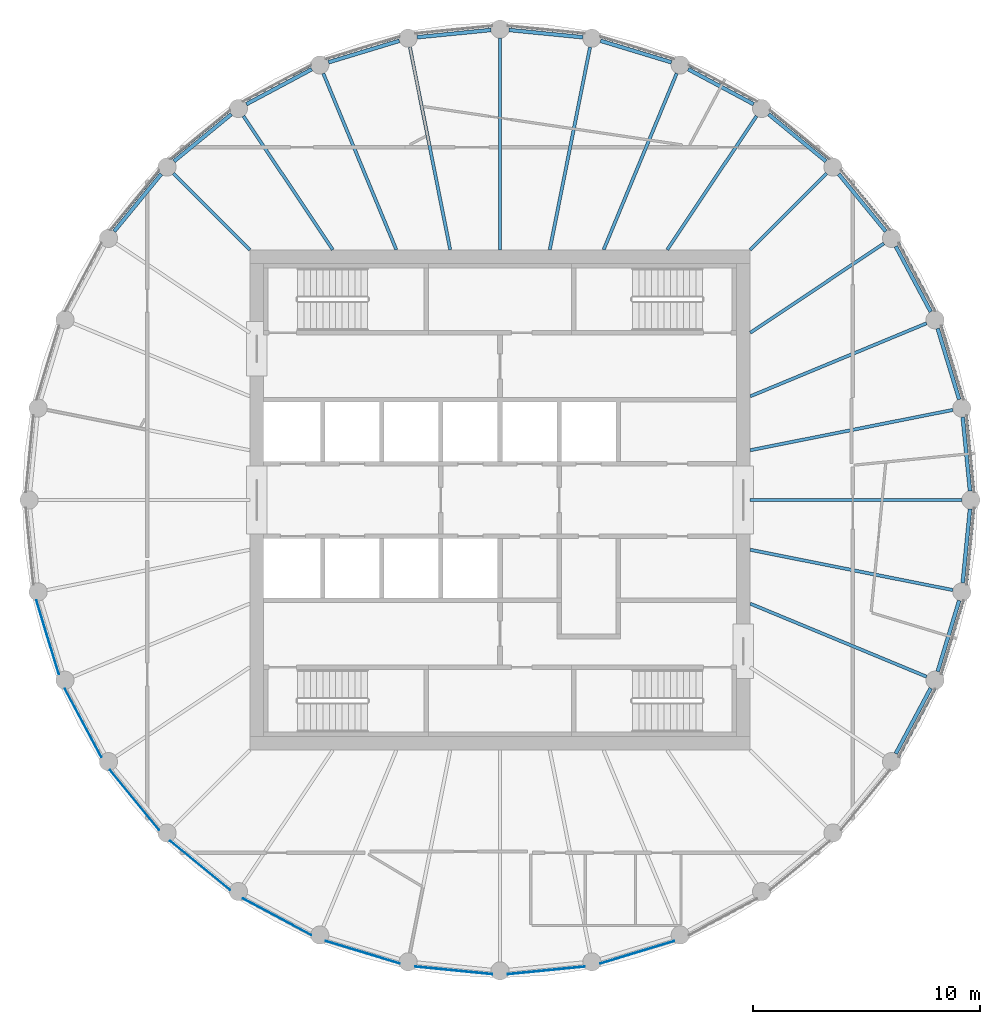
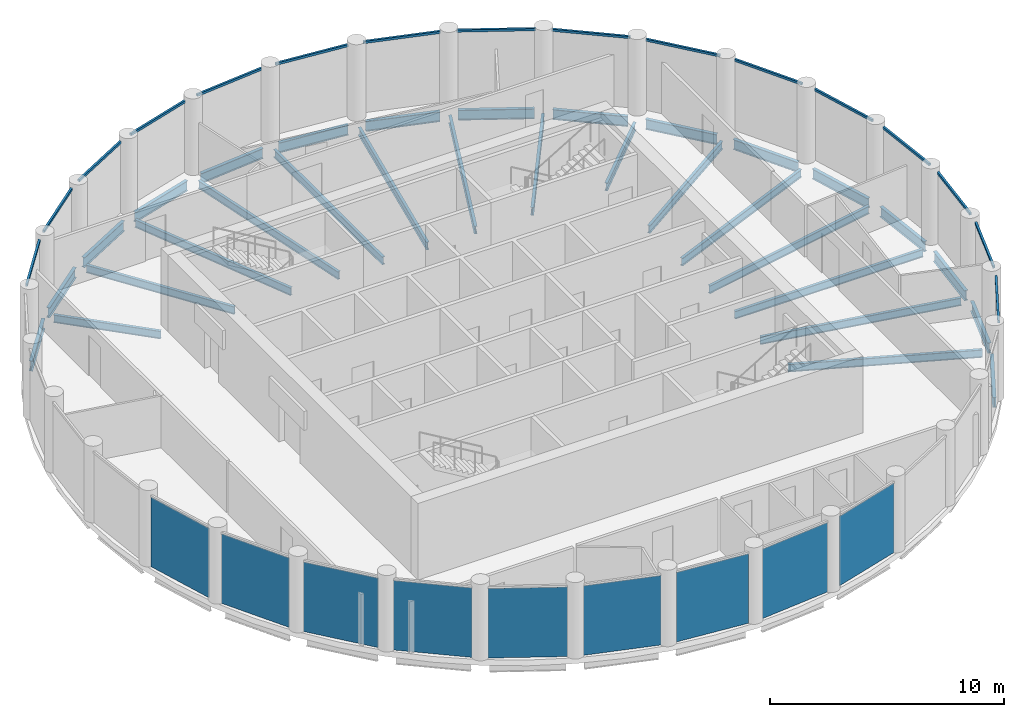
# One storey, part 2 of 7: 31 beams, 16 members, 9 plates, 25 elements without a shape of their own.
"""IFC4 building model written with IfcOpenShell, lengths in metres."""

from ifc_helpers import new_model, si_unit, direction, frame, origin, origin_2d, place, context, subcontext, project, spatial, rectangle, i_section, extrude, material, layer, layer_set, material_profile, profile_set, type_object, element, aggregate, save


model = new_model("IFC4")

# Units and contexts
model_context = context("Model", 3, precision=1e-05, world=origin(), true_north=direction((0.0, 1.0)))
body_context = subcontext(model_context, "Body", "Model", "MODEL_VIEW")
ifc_project = project(units=[si_unit("LENGTHUNIT", "METRE"), si_unit("AREAUNIT", "SQUARE_METRE"), si_unit("VOLUMEUNIT", "CUBIC_METRE"), si_unit("PLANEANGLEUNIT", "RADIAN"), si_unit("MASSUNIT", "GRAM", prefix="KILO")], contexts=[model_context])

# Site, building, storey
site_placement = place(None, origin())
site = spatial("IfcSite", under=ifc_project, at=site_placement, CompositionType="ELEMENT")
building_placement = place(site_placement, origin())
building = spatial("IfcBuilding", under=site, at=building_placement, Name="Corvane Civic Tower", CompositionType="ELEMENT")
storey_placement = place(building_placement, frame((0.0, 0.0, 332.5)))
storey = spatial("IfcBuildingStorey", under=building, at=storey_placement, Name="L79", CompositionType="ELEMENT", Elevation=332.5)

# Beams
ifc_material_1 = material(Name="Steel ASTM A992 Gr 50", Category="steel")
ifc_material_profile_1 = material_profile(ifc_material_1, i_section(OverallWidth=0.165771484375, OverallDepth=0.5283203125, WebThickness=0.009765625, FlangeThickness=0.013671875, at=origin_2d()), Name="W21X50")
ifc_profile_set_1 = profile_set([ifc_material_profile_1], Name="Steel ASTM A992 Gr 50")
beam_type_1 = type_object("IfcBeamType", Name="EDGE BEAM W21X50", PredefinedType="BEAM", material=ifc_profile_set_1)
beam_1_placement = place(storey_placement, frame((0.39794921875, 20.66064453125, -0.564208984375), z_axis=(0.995192503142, -0.097938152369, 0.0), x_axis=(0.097938152369, 0.995192503142, 0.0)))
element("IfcBeam", 1, at=beam_1_placement, inside=storey, type_object=beam_type_1, Name="BM-L79-E01", PredefinedType="BEAM", context=body_context, shape_type="SweptSolid", body=[
    extrude(i_section(OverallWidth=0.165771484375, OverallDepth=0.5283203125, WebThickness=0.009765625, FlangeThickness=0.013671875, at=origin_2d()), origin(), (0.0, 0.0, 1.0), 3.258056640625),
])
for number, where, z_axis, x_axis, name in (
    (2, (4.421142578125, 20.18603515625, -0.564208984375), (0.956955679349, -0.290234091317, 0.0), (0.290234091317, 0.956955679349, 0.0), "BM-L79-E02"),
    (3, (8.2744140625, 18.935791015625, -0.564208984375), (0.881894065907, -0.471447618, 0.0), (0.471447618, 0.881894065907, 0.0), "BM-L79-E03"),
    (4, (11.8095703125, 16.957763671875, -0.564208984375), (0.772984791903, -0.634424551454, 0.0), (0.634424551454, 0.772984791903, 0.0), "BM-L79-E04"),
    (5, (14.890869140625, 14.327880859375, -0.564208984375), (0.634424551454, -0.772984791903, 0.0), (0.772984791903, 0.634424551454, 0.0), "BM-L79-E05"),
    (6, (17.39990234375, 11.1474609375, -0.564208984375), (0.471447618, -0.881894065907, 0.0), (0.881894065907, 0.471447618, 0.0), "BM-L79-E06"),
    (7, (19.240478515625, 7.538818359375, -0.564208984375), (0.290234091317, -0.956955679349, 0.0), (0.956955679349, 0.290234091317, 0.0), "BM-L79-E07"),
):
    element("IfcBeam", number, at=place(storey_placement, frame(where, z_axis=z_axis, x_axis=x_axis)), inside=storey, type_object=beam_type_1, Name=name, PredefinedType="BEAM", context=body_context, shape_type="SweptSolid", body=[
        extrude(i_section(OverallWidth=0.165771484375, OverallDepth=0.5283203125, WebThickness=0.009765625, FlangeThickness=0.013671875, at=origin_2d()), origin(), (0.0, 0.0, 1.0), 3.2578125),
    ])
for number, where, z_axis, x_axis, name in (
    (8, (20.341552734375, 3.640380859375, -0.564208984375), (0.097938152369, -0.995192503142, 0.0), (0.995192503142, 0.097938152369, 0.0), "BM-L79-E08"),
    (9, (20.66064453125, -0.39794921875, -0.564208984375), (-0.097938152369, -0.995192503142, 0.0), (0.995192503142, -0.097938152369, 0.0), "BM-L79-E09"),
):
    element("IfcBeam", number, at=place(storey_placement, frame(where, z_axis=z_axis, x_axis=x_axis)), inside=storey, type_object=beam_type_1, Name=name, PredefinedType="BEAM", context=body_context, shape_type="SweptSolid", body=[
        extrude(i_section(OverallWidth=0.165771484375, OverallDepth=0.5283203125, WebThickness=0.009765625, FlangeThickness=0.013671875, at=origin_2d()), origin(), (0.0, 0.0, 1.0), 3.258056640625),
    ])
for number, where, z_axis, x_axis, name in (
    (10, (20.18603515625, -4.421142578125, -0.564208984375), (-0.290234091317, -0.956955679349, 0.0), (0.956955679349, -0.290234091317, 0.0), "BM-L79-E10"),
    (11, (18.935791015625, -8.2744140625, -0.564208984375), (-0.471447618, -0.881894065907, 0.0), (0.881894065907, -0.471447618, 0.0), "BM-L79-E11"),
    (12, (-16.957763671875, 11.8095703125, -0.564208984375), (0.634424551454, 0.772984791903, 0.0), (-0.772984791903, 0.634424551454, 0.0), "BM-L79-E28"),
    (13, (-14.327880859375, 14.890869140625, -0.564208984375), (0.772984791903, 0.634424551454, 0.0), (-0.634424551454, 0.772984791903, 0.0), "BM-L79-E29"),
    (14, (-11.1474609375, 17.39990234375, -0.564208984375), (0.881894065907, 0.471447618, 0.0), (-0.471447618, 0.881894065907, 0.0), "BM-L79-E30"),
    (15, (-7.538818359375, 19.240478515625, -0.564208984375), (0.956955679349, 0.290234091317, 0.0), (-0.290234091317, 0.956955679349, 0.0), "BM-L79-E31"),
):
    element("IfcBeam", number, at=place(storey_placement, frame(where, z_axis=z_axis, x_axis=x_axis)), inside=storey, type_object=beam_type_1, Name=name, PredefinedType="BEAM", context=body_context, shape_type="SweptSolid", body=[
        extrude(i_section(OverallWidth=0.165771484375, OverallDepth=0.5283203125, WebThickness=0.009765625, FlangeThickness=0.013671875, at=origin_2d()), origin(), (0.0, 0.0, 1.0), 3.2578125),
    ])
beam_2_placement = place(storey_placement, frame((-3.640380859375, 20.341552734375, -0.564208984375), z_axis=(0.995192503142, 0.097938152369, 0.0), x_axis=(-0.097938152369, 0.995192503142, 0.0)))
element("IfcBeam", 16, at=beam_2_placement, inside=storey, type_object=beam_type_1, Name="BM-L79-E32", PredefinedType="BEAM", context=body_context, shape_type="SweptSolid", body=[
    extrude(i_section(OverallWidth=0.165771484375, OverallDepth=0.5283203125, WebThickness=0.009765625, FlangeThickness=0.013671875, at=origin_2d()), origin(), (0.0, 0.0, 1.0), 3.258056640625),
])
ifc_material_2 = material(Name="Steel ASTM A992 Gr 50", Category="steel")
ifc_material_profile_2 = material_profile(ifc_material_2, i_section(OverallWidth=0.140380859375, OverallDepth=0.40380859375, WebThickness=0.007080078125, FlangeThickness=0.01123046875, at=origin_2d()), Name="W16X31")
ifc_profile_set_2 = profile_set([ifc_material_profile_2], Name="Steel ASTM A992 Gr 50")
beam_type_2 = type_object("IfcBeamType", Name="FLOOR GIRDER W16X31", PredefinedType="BEAM", material=ifc_profile_set_2)
beam_3_placement = place(storey_placement, frame((0.0, 11.0, -0.501953125), z_axis=(0.0, 1.0, 0.0), x_axis=(-1.0, 0.0, 0.0)))
element("IfcBeam", 17, at=beam_3_placement, inside=storey, type_object=beam_type_2, Name="BM-L79-G01", PredefinedType="BEAM", context=body_context, shape_type="SweptSolid", body=[
    extrude(i_section(OverallWidth=0.140380859375, OverallDepth=0.40380859375, WebThickness=0.007080078125, FlangeThickness=0.01123046875, at=origin_2d()), origin(), (0.0, 0.0, 1.0), 9.300048828125),
])
beam_4_placement = place(storey_placement, frame((2.18798828125, 11.0, -0.501953125), z_axis=(0.195108241061, 0.980781715913, 0.0), x_axis=(-0.980781715913, 0.195108241061, 0.0)))
element("IfcBeam", 18, at=beam_4_placement, inside=storey, type_object=beam_type_2, Name="BM-L79-G02", PredefinedType="BEAM", context=body_context, shape_type="SweptSolid", body=[
    extrude(i_section(OverallWidth=0.140380859375, OverallDepth=0.40380859375, WebThickness=0.007080078125, FlangeThickness=0.01123046875, at=origin_2d()), origin(), (0.0, 0.0, 1.0), 9.08447265625),
])
beam_5_placement = place(storey_placement, frame((4.556396484375, 11.0, -0.501953125), z_axis=(0.382691739894, 0.923876091377, 0.0), x_axis=(-0.923876091377, 0.382691739894, 0.0)))
element("IfcBeam", 19, at=beam_5_placement, inside=storey, type_object=beam_type_2, Name="BM-L79-G03", PredefinedType="BEAM", context=body_context, shape_type="SweptSolid", body=[
    extrude(i_section(OverallWidth=0.140380859375, OverallDepth=0.40380859375, WebThickness=0.007080078125, FlangeThickness=0.01123046875, at=origin_2d()), origin(), (0.0, 0.0, 1.0), 8.3935546875),
])
beam_6_placement = place(storey_placement, frame((7.349853515625, 11.0, -0.501953125), z_axis=(0.555576401385, 0.831465490699, 0.0), x_axis=(-0.831465490699, 0.555576401385, 0.0)))
element("IfcBeam", 20, at=beam_6_placement, inside=storey, type_object=beam_type_2, Name="BM-L79-G04", PredefinedType="BEAM", context=body_context, shape_type="SweptSolid", body=[
    extrude(i_section(OverallWidth=0.140380859375, OverallDepth=0.40380859375, WebThickness=0.007080078125, FlangeThickness=0.01123046875, at=origin_2d()), origin(), (0.0, 0.0, 1.0), 7.070556640625),
])
beam_7_placement = place(storey_placement, frame((11.0, 11.0, -0.501953125), z_axis=(0.707106781187, 0.707106781187, 0.0), x_axis=(-0.707106781187, 0.707106781187, 0.0)))
element("IfcBeam", 21, at=beam_7_placement, inside=storey, type_object=beam_type_2, Name="BM-L79-G05", PredefinedType="BEAM", context=body_context, shape_type="SweptSolid", body=[
    extrude(i_section(OverallWidth=0.140380859375, OverallDepth=0.40380859375, WebThickness=0.007080078125, FlangeThickness=0.01123046875, at=origin_2d()), origin(), (0.0, 0.0, 1.0), 4.74365234375),
])
beam_8_placement = place(storey_placement, frame((11.0, 7.349853515625, -0.501953125), z_axis=(0.831465490699, 0.555576401385, 0.0), x_axis=(-0.555576401385, 0.831465490699, 0.0)))
element("IfcBeam", 22, at=beam_8_placement, inside=storey, type_object=beam_type_2, Name="BM-L79-G06", PredefinedType="BEAM", context=body_context, shape_type="SweptSolid", body=[
    extrude(i_section(OverallWidth=0.140380859375, OverallDepth=0.40380859375, WebThickness=0.007080078125, FlangeThickness=0.01123046875, at=origin_2d()), origin(), (0.0, 0.0, 1.0), 7.070556640625),
])
beam_9_placement = place(storey_placement, frame((11.0, 4.556396484375, -0.501953125), z_axis=(0.923876091377, 0.382691739894, 0.0), x_axis=(-0.382691739894, 0.923876091377, 0.0)))
element("IfcBeam", 23, at=beam_9_placement, inside=storey, type_object=beam_type_2, Name="BM-L79-G07", PredefinedType="BEAM", context=body_context, shape_type="SweptSolid", body=[
    extrude(i_section(OverallWidth=0.140380859375, OverallDepth=0.40380859375, WebThickness=0.007080078125, FlangeThickness=0.01123046875, at=origin_2d()), origin(), (0.0, 0.0, 1.0), 8.3935546875),
])
beam_10_placement = place(storey_placement, frame((11.0, 2.18798828125, -0.501953125), z_axis=(0.980781715913, 0.195108241061, 0.0), x_axis=(-0.195108241061, 0.980781715913, 0.0)))
element("IfcBeam", 24, at=beam_10_placement, inside=storey, type_object=beam_type_2, Name="BM-L79-G08", PredefinedType="BEAM", context=body_context, shape_type="SweptSolid", body=[
    extrude(i_section(OverallWidth=0.140380859375, OverallDepth=0.40380859375, WebThickness=0.007080078125, FlangeThickness=0.01123046875, at=origin_2d()), origin(), (0.0, 0.0, 1.0), 9.08447265625),
])
beam_11_placement = place(storey_placement, frame((11.0, 0.0, -0.501953125), z_axis=(1.0, 0.0, 0.0), x_axis=(0.0, 1.0, 0.0)))
element("IfcBeam", 25, at=beam_11_placement, inside=storey, type_object=beam_type_2, Name="BM-L79-G09", PredefinedType="BEAM", context=body_context, shape_type="SweptSolid", body=[
    extrude(i_section(OverallWidth=0.140380859375, OverallDepth=0.40380859375, WebThickness=0.007080078125, FlangeThickness=0.01123046875, at=origin_2d()), origin(), (0.0, 0.0, 1.0), 9.300048828125),
])
beam_12_placement = place(storey_placement, frame((11.0, -2.18798828125, -0.501953125), z_axis=(0.980781715913, -0.195108241061, 0.0), x_axis=(0.195108241061, 0.980781715913, 0.0)))
element("IfcBeam", 26, at=beam_12_placement, inside=storey, type_object=beam_type_2, Name="BM-L79-G10", PredefinedType="BEAM", context=body_context, shape_type="SweptSolid", body=[
    extrude(i_section(OverallWidth=0.140380859375, OverallDepth=0.40380859375, WebThickness=0.007080078125, FlangeThickness=0.01123046875, at=origin_2d()), origin(), (0.0, 0.0, 1.0), 9.08447265625),
])
beam_13_placement = place(storey_placement, frame((11.0, -4.556396484375, -0.501953125), z_axis=(0.923876091377, -0.382691739894, 0.0), x_axis=(0.382691739894, 0.923876091377, 0.0)))
element("IfcBeam", 27, at=beam_13_placement, inside=storey, type_object=beam_type_2, Name="BM-L79-G11", PredefinedType="BEAM", context=body_context, shape_type="SweptSolid", body=[
    extrude(i_section(OverallWidth=0.140380859375, OverallDepth=0.40380859375, WebThickness=0.007080078125, FlangeThickness=0.01123046875, at=origin_2d()), origin(), (0.0, 0.0, 1.0), 8.3935546875),
])
beam_14_placement = place(storey_placement, frame((-11.0, 11.0, -0.501953125), z_axis=(-0.707106781187, 0.707106781187, 0.0), x_axis=(-0.707106781187, -0.707106781187, 0.0)))
element("IfcBeam", 28, at=beam_14_placement, inside=storey, type_object=beam_type_2, Name="BM-L79-G29", PredefinedType="BEAM", context=body_context, shape_type="SweptSolid", body=[
    extrude(i_section(OverallWidth=0.140380859375, OverallDepth=0.40380859375, WebThickness=0.007080078125, FlangeThickness=0.01123046875, at=origin_2d()), origin(), (0.0, 0.0, 1.0), 4.74365234375),
])
beam_15_placement = place(storey_placement, frame((-7.349853515625, 11.0, -0.501953125), z_axis=(-0.555576401385, 0.831465490699, 0.0), x_axis=(-0.831465490699, -0.555576401385, 0.0)))
element("IfcBeam", 29, at=beam_15_placement, inside=storey, type_object=beam_type_2, Name="BM-L79-G30", PredefinedType="BEAM", context=body_context, shape_type="SweptSolid", body=[
    extrude(i_section(OverallWidth=0.140380859375, OverallDepth=0.40380859375, WebThickness=0.007080078125, FlangeThickness=0.01123046875, at=origin_2d()), origin(), (0.0, 0.0, 1.0), 7.070556640625),
])
beam_16_placement = place(storey_placement, frame((-4.556396484375, 11.0, -0.501953125), z_axis=(-0.382691739894, 0.923876091377, 0.0), x_axis=(-0.923876091377, -0.382691739894, 0.0)))
element("IfcBeam", 30, at=beam_16_placement, inside=storey, type_object=beam_type_2, Name="BM-L79-G31", PredefinedType="BEAM", context=body_context, shape_type="SweptSolid", body=[
    extrude(i_section(OverallWidth=0.140380859375, OverallDepth=0.40380859375, WebThickness=0.007080078125, FlangeThickness=0.01123046875, at=origin_2d()), origin(), (0.0, 0.0, 1.0), 8.3935546875),
])
beam_17_placement = place(storey_placement, frame((-2.18798828125, 11.0, -0.501953125), z_axis=(-0.195108241061, 0.980781715913, 0.0), x_axis=(-0.980781715913, -0.195108241061, 0.0)))
element("IfcBeam", 31, at=beam_17_placement, inside=storey, type_object=beam_type_2, Name="BM-L79-G32", PredefinedType="BEAM", context=body_context, shape_type="SweptSolid", body=[
    extrude(i_section(OverallWidth=0.140380859375, OverallDepth=0.40380859375, WebThickness=0.007080078125, FlangeThickness=0.01123046875, at=origin_2d()), origin(), (0.0, 0.0, 1.0), 9.08447265625),
])

# Curtain wall, member
ifc_material_3 = material(Name="Anodised aluminium bronze", Category="aluminium")
curtain_wall_type = type_object("IfcCurtainWallType", Name="TOWER CW-T3 STICK CURTAIN WALL", PredefinedType="NOTDEFINED", material=ifc_material_3)
curtain_wall_1_placement = place(storey_placement, origin())
curtain_wall_1 = element("IfcCurtainWall", 32, at=curtain_wall_1_placement, inside=storey, type_object=curtain_wall_type, Name="Curtain wall CW-T3 L79 bay 01", PredefinedType="NOTDEFINED")
ifc_material_4 = material(Name="Anodised aluminium bronze", Category="aluminium")
ifc_material_profile_3 = material_profile(ifc_material_4, rectangle(XDim=0.10009765625, YDim=0.1201171875, at=origin_2d()), Name="TOWER CW-T3 TRANSOM 100x120")
ifc_profile_set_3 = profile_set([ifc_material_profile_3], Name="Anodised aluminium bronze")
member_type = type_object("IfcMemberType", Name="TOWER CW-T3 TRANSOM 100x120", PredefinedType="USERDEFINED", material=ifc_profile_set_3)
member_1_placement = place(storey_placement, frame((0.34375, 20.845947265625, 3.68994140625), z_axis=(0.995191564676, -0.097947688066, 0.0), x_axis=(0.097947688066, 0.995191564676, 0.0)))
member_1 = element("IfcMember", 33, at=member_1_placement, type_object=member_type, Name="Transom CW-T3 L79 01.1", ObjectType="TRANSOM", PredefinedType="USERDEFINED", context=body_context, shape_type="SweptSolid", body=[
    extrude(rectangle(XDim=0.10009765625, YDim=0.1201171875, at=origin_2d()), origin(), (0.0, 0.0, 1.0), 3.40234375),
])
aggregate(curtain_wall_1, [member_1])

curtain_wall_2_placement = place(storey_placement, origin())
curtain_wall_2 = element("IfcCurtainWall", 34, at=curtain_wall_2_placement, inside=storey, type_object=curtain_wall_type, Name="Curtain wall CW-T3 L79 bay 02", PredefinedType="NOTDEFINED")
member_2_placement = place(storey_placement, frame((4.40380859375, 20.37841796875, 3.68994140625), z_axis=(0.956961022204, -0.290216474345, 0.0), x_axis=(0.290216474345, 0.956961022204, 0.0)))
member_2 = element("IfcMember", 35, at=member_2_placement, type_object=member_type, Name="Transom CW-T3 L79 02.1", ObjectType="TRANSOM", PredefinedType="USERDEFINED", context=body_context, shape_type="SweptSolid", body=[
    extrude(rectangle(XDim=0.10009765625, YDim=0.1201171875, at=origin_2d()), origin(), (0.0, 0.0, 1.0), 3.40283203125),
])
aggregate(curtain_wall_2, [member_2])

curtain_wall_3_placement = place(storey_placement, origin())
curtain_wall_3 = element("IfcCurtainWall", 36, at=curtain_wall_3_placement, inside=storey, type_object=curtain_wall_type, Name="Curtain wall CW-T3 L79 bay 03", PredefinedType="NOTDEFINED")
member_3_placement = place(storey_placement, frame((8.294921875, 19.127685546875, 3.68994140625), z_axis=(0.881941440444, -0.471358988063, 0.0), x_axis=(0.471358988063, 0.881941440444, 0.0)))
member_3 = element("IfcMember", 37, at=member_3_placement, type_object=member_type, Name="Transom CW-T3 L79 03.1", ObjectType="TRANSOM", PredefinedType="USERDEFINED", context=body_context, shape_type="SweptSolid", body=[
    extrude(rectangle(XDim=0.10009765625, YDim=0.1201171875, at=origin_2d()), origin(), (0.0, 0.0, 1.0), 3.40234375),
])
aggregate(curtain_wall_3, [member_3])

curtain_wall_4_placement = place(storey_placement, origin())
curtain_wall_4 = element("IfcCurtainWall", 38, at=curtain_wall_4_placement, inside=storey, type_object=curtain_wall_type, Name="Curtain wall CW-T3 L79 bay 04", PredefinedType="NOTDEFINED")
member_4_placement = place(storey_placement, frame((11.8671875, 17.14208984375, 3.68994140625), z_axis=(0.773010217358, -0.634393571736, 0.0), x_axis=(0.634393571736, 0.773010217358, 0.0)))
member_4 = element("IfcMember", 39, at=member_4_placement, type_object=member_type, Name="Transom CW-T3 L79 04.1", ObjectType="TRANSOM", PredefinedType="USERDEFINED", context=body_context, shape_type="SweptSolid", body=[
    extrude(rectangle(XDim=0.10009765625, YDim=0.1201171875, at=origin_2d()), origin(), (0.0, 0.0, 1.0), 3.40283203125),
])
aggregate(curtain_wall_4, [member_4])

curtain_wall_5_placement = place(storey_placement, origin())
curtain_wall_5 = element("IfcCurtainWall", 40, at=curtain_wall_5_placement, inside=storey, type_object=curtain_wall_type, Name="Curtain wall CW-T3 L79 bay 05", PredefinedType="NOTDEFINED")
member_5_placement = place(storey_placement, frame((14.9833984375, 14.49755859375, 3.68994140625), z_axis=(0.634393571736, -0.773010217358, 0.0), x_axis=(0.773010217358, 0.634393571736, 0.0)))
member_5 = element("IfcMember", 41, at=member_5_placement, type_object=member_type, Name="Transom CW-T3 L79 05.1", ObjectType="TRANSOM", PredefinedType="USERDEFINED", context=body_context, shape_type="SweptSolid", body=[
    extrude(rectangle(XDim=0.10009765625, YDim=0.1201171875, at=origin_2d()), origin(), (0.0, 0.0, 1.0), 3.40283203125),
])
aggregate(curtain_wall_5, [member_5])

curtain_wall_6_placement = place(storey_placement, origin())
curtain_wall_6 = element("IfcCurtainWall", 42, at=curtain_wall_6_placement, inside=storey, type_object=curtain_wall_type, Name="Curtain wall CW-T3 L79 bay 06", PredefinedType="NOTDEFINED")
member_6_placement = place(storey_placement, frame((17.52392578125, 11.295654296875, 3.68994140625), z_axis=(0.471358988063, -0.881941440444, 0.0), x_axis=(0.881941440444, 0.471358988063, 0.0)))
member_6 = element("IfcMember", 43, at=member_6_placement, type_object=member_type, Name="Transom CW-T3 L79 06.1", ObjectType="TRANSOM", PredefinedType="USERDEFINED", context=body_context, shape_type="SweptSolid", body=[
    extrude(rectangle(XDim=0.10009765625, YDim=0.1201171875, at=origin_2d()), origin(), (0.0, 0.0, 1.0), 3.40234375),
])
aggregate(curtain_wall_6, [member_6])

curtain_wall_7_placement = place(storey_placement, origin())
curtain_wall_7 = element("IfcCurtainWall", 44, at=curtain_wall_7_placement, inside=storey, type_object=curtain_wall_type, Name="Curtain wall CW-T3 L79 bay 07", PredefinedType="NOTDEFINED")
member_7_placement = place(storey_placement, frame((19.390869140625, 7.66015625, 3.68994140625), z_axis=(0.290216474345, -0.956961022204, 0.0), x_axis=(0.956961022204, 0.290216474345, 0.0)))
member_7 = element("IfcMember", 45, at=member_7_placement, type_object=member_type, Name="Transom CW-T3 L79 07.1", ObjectType="TRANSOM", PredefinedType="USERDEFINED", context=body_context, shape_type="SweptSolid", body=[
    extrude(rectangle(XDim=0.10009765625, YDim=0.1201171875, at=origin_2d()), origin(), (0.0, 0.0, 1.0), 3.40283203125),
])
aggregate(curtain_wall_7, [member_7])

curtain_wall_8_placement = place(storey_placement, origin())
curtain_wall_8 = element("IfcCurtainWall", 46, at=curtain_wall_8_placement, inside=storey, type_object=curtain_wall_type, Name="Curtain wall CW-T3 L79 bay 08", PredefinedType="NOTDEFINED")
member_8_placement = place(storey_placement, frame((20.5126953125, 3.729736328125, 3.68994140625), z_axis=(0.097947688066, -0.995191564676, 0.0), x_axis=(0.995191564676, 0.097947688066, 0.0)))
member_8 = element("IfcMember", 47, at=member_8_placement, type_object=member_type, Name="Transom CW-T3 L79 08.1", ObjectType="TRANSOM", PredefinedType="USERDEFINED", context=body_context, shape_type="SweptSolid", body=[
    extrude(rectangle(XDim=0.10009765625, YDim=0.1201171875, at=origin_2d()), origin(), (0.0, 0.0, 1.0), 3.40234375),
])
aggregate(curtain_wall_8, [member_8])

curtain_wall_9_placement = place(storey_placement, origin())
curtain_wall_9 = element("IfcCurtainWall", 48, at=curtain_wall_9_placement, inside=storey, type_object=curtain_wall_type, Name="Curtain wall CW-T3 L79 bay 09", PredefinedType="NOTDEFINED")
member_9_placement = place(storey_placement, frame((20.845947265625, -0.34375, 3.68994140625), z_axis=(-0.097947688066, -0.995191564676, 0.0), x_axis=(0.995191564676, -0.097947688066, 0.0)))
member_9 = element("IfcMember", 49, at=member_9_placement, type_object=member_type, Name="Transom CW-T3 L79 09.1", ObjectType="TRANSOM", PredefinedType="USERDEFINED", context=body_context, shape_type="SweptSolid", body=[
    extrude(rectangle(XDim=0.10009765625, YDim=0.1201171875, at=origin_2d()), origin(), (0.0, 0.0, 1.0), 3.40234375),
])
aggregate(curtain_wall_9, [member_9])

curtain_wall_10_placement = place(storey_placement, origin())
curtain_wall_10 = element("IfcCurtainWall", 50, at=curtain_wall_10_placement, inside=storey, type_object=curtain_wall_type, Name="Curtain wall CW-T3 L79 bay 10", PredefinedType="NOTDEFINED")
member_10_placement = place(storey_placement, frame((20.37841796875, -4.40380859375, 3.68994140625), z_axis=(-0.290216474345, -0.956961022204, 0.0), x_axis=(0.956961022204, -0.290216474345, 0.0)))
member_10 = element("IfcMember", 51, at=member_10_placement, type_object=member_type, Name="Transom CW-T3 L79 10.1", ObjectType="TRANSOM", PredefinedType="USERDEFINED", context=body_context, shape_type="SweptSolid", body=[
    extrude(rectangle(XDim=0.10009765625, YDim=0.1201171875, at=origin_2d()), origin(), (0.0, 0.0, 1.0), 3.40283203125),
])
aggregate(curtain_wall_10, [member_10])

curtain_wall_11_placement = place(storey_placement, origin())
curtain_wall_11 = element("IfcCurtainWall", 52, at=curtain_wall_11_placement, inside=storey, type_object=curtain_wall_type, Name="Curtain wall CW-T3 L79 bay 11", PredefinedType="NOTDEFINED")
member_11_placement = place(storey_placement, frame((19.127685546875, -8.294921875, 3.68994140625), z_axis=(-0.471358988063, -0.881941440444, 0.0), x_axis=(0.881941440444, -0.471358988063, 0.0)))
member_11 = element("IfcMember", 53, at=member_11_placement, type_object=member_type, Name="Transom CW-T3 L79 11.1", ObjectType="TRANSOM", PredefinedType="USERDEFINED", context=body_context, shape_type="SweptSolid", body=[
    extrude(rectangle(XDim=0.10009765625, YDim=0.1201171875, at=origin_2d()), origin(), (0.0, 0.0, 1.0), 3.40234375),
])
aggregate(curtain_wall_11, [member_11])

curtain_wall_12_placement = place(storey_placement, origin())
curtain_wall_12 = element("IfcCurtainWall", 54, at=curtain_wall_12_placement, inside=storey, type_object=curtain_wall_type, Name="Curtain wall CW-T3 L79 bay 28", PredefinedType="NOTDEFINED")
member_12_placement = place(storey_placement, frame((-17.14208984375, 11.8671875, 3.68994140625), z_axis=(0.634393571736, 0.773010217358, 0.0), x_axis=(-0.773010217358, 0.634393571736, 0.0)))
member_12 = element("IfcMember", 55, at=member_12_placement, type_object=member_type, Name="Transom CW-T3 L79 28.1", ObjectType="TRANSOM", PredefinedType="USERDEFINED", context=body_context, shape_type="SweptSolid", body=[
    extrude(rectangle(XDim=0.10009765625, YDim=0.1201171875, at=origin_2d()), origin(), (0.0, 0.0, 1.0), 3.40283203125),
])
aggregate(curtain_wall_12, [member_12])

curtain_wall_13_placement = place(storey_placement, origin())
curtain_wall_13 = element("IfcCurtainWall", 56, at=curtain_wall_13_placement, inside=storey, type_object=curtain_wall_type, Name="Curtain wall CW-T3 L79 bay 29", PredefinedType="NOTDEFINED")
member_13_placement = place(storey_placement, frame((-14.49755859375, 14.9833984375, 3.68994140625), z_axis=(0.773010217358, 0.634393571736, 0.0), x_axis=(-0.634393571736, 0.773010217358, 0.0)))
member_13 = element("IfcMember", 57, at=member_13_placement, type_object=member_type, Name="Transom CW-T3 L79 29.1", ObjectType="TRANSOM", PredefinedType="USERDEFINED", context=body_context, shape_type="SweptSolid", body=[
    extrude(rectangle(XDim=0.10009765625, YDim=0.1201171875, at=origin_2d()), origin(), (0.0, 0.0, 1.0), 3.40283203125),
])
aggregate(curtain_wall_13, [member_13])

curtain_wall_14_placement = place(storey_placement, origin())
curtain_wall_14 = element("IfcCurtainWall", 58, at=curtain_wall_14_placement, inside=storey, type_object=curtain_wall_type, Name="Curtain wall CW-T3 L79 bay 30", PredefinedType="NOTDEFINED")
member_14_placement = place(storey_placement, frame((-11.295654296875, 17.52392578125, 3.68994140625), z_axis=(0.881941440444, 0.471358988063, 0.0), x_axis=(-0.471358988063, 0.881941440444, 0.0)))
member_14 = element("IfcMember", 59, at=member_14_placement, type_object=member_type, Name="Transom CW-T3 L79 30.1", ObjectType="TRANSOM", PredefinedType="USERDEFINED", context=body_context, shape_type="SweptSolid", body=[
    extrude(rectangle(XDim=0.10009765625, YDim=0.1201171875, at=origin_2d()), origin(), (0.0, 0.0, 1.0), 3.40234375),
])
aggregate(curtain_wall_14, [member_14])

curtain_wall_15_placement = place(storey_placement, origin())
curtain_wall_15 = element("IfcCurtainWall", 60, at=curtain_wall_15_placement, inside=storey, type_object=curtain_wall_type, Name="Curtain wall CW-T3 L79 bay 31", PredefinedType="NOTDEFINED")
member_15_placement = place(storey_placement, frame((-7.66015625, 19.390869140625, 3.68994140625), z_axis=(0.956961022204, 0.290216474345, 0.0), x_axis=(-0.290216474345, 0.956961022204, 0.0)))
member_15 = element("IfcMember", 61, at=member_15_placement, type_object=member_type, Name="Transom CW-T3 L79 31.1", ObjectType="TRANSOM", PredefinedType="USERDEFINED", context=body_context, shape_type="SweptSolid", body=[
    extrude(rectangle(XDim=0.10009765625, YDim=0.1201171875, at=origin_2d()), origin(), (0.0, 0.0, 1.0), 3.40283203125),
])
aggregate(curtain_wall_15, [member_15])

curtain_wall_16_placement = place(storey_placement, origin())
curtain_wall_16 = element("IfcCurtainWall", 62, at=curtain_wall_16_placement, inside=storey, type_object=curtain_wall_type, Name="Curtain wall CW-T3 L79 bay 32", PredefinedType="NOTDEFINED")
member_16_placement = place(storey_placement, frame((-3.729736328125, 20.5126953125, 3.68994140625), z_axis=(0.995191564676, 0.097947688066, 0.0), x_axis=(-0.097947688066, 0.995191564676, 0.0)))
member_16 = element("IfcMember", 63, at=member_16_placement, type_object=member_type, Name="Transom CW-T3 L79 32.1", ObjectType="TRANSOM", PredefinedType="USERDEFINED", context=body_context, shape_type="SweptSolid", body=[
    extrude(rectangle(XDim=0.10009765625, YDim=0.1201171875, at=origin_2d()), origin(), (0.0, 0.0, 1.0), 3.40234375),
])
aggregate(curtain_wall_16, [member_16])

# Curtain wall, plate
curtain_wall_17_placement = place(storey_placement, origin())
curtain_wall_17 = element("IfcCurtainWall", 64, at=curtain_wall_17_placement, inside=storey, type_object=curtain_wall_type, Name="Curtain wall CW-T3 L79 bay 15", PredefinedType="NOTDEFINED")
ifc_material_5 = material(Name="Tinted glass", Category="glass")
ifc_layer = layer(ifc_material_5, 0.028076171875)
ifc_layer_set = layer_set([ifc_layer], Name="Tinted glass")
plate_type = type_object("IfcPlateType", Name="TOWER CW-T3 PANEL IGU28", PredefinedType="CURTAIN_PANEL", material=ifc_layer_set)
plate_1_placement = place(storey_placement, frame((6.031982421875, -19.884765625, 0.0), z_axis=(0.0, 0.0, 1.0), x_axis=(-0.956938582641, -0.290290456359, 0.0)))
plate_1 = element("IfcPlate", 65, at=plate_1_placement, type_object=plate_type, Name="Glass panel CW-T3 L79 15.1", PredefinedType="CURTAIN_PANEL", context=body_context, shape_type="SweptSolid", body=[
    extrude(rectangle(XDim=3.40283203125, YDim=0.028076171875, at=origin_2d()), origin(), (0.0, 0.0, 1.0), 3.6298828125),
])
aggregate(curtain_wall_17, [plate_1])

curtain_wall_18_placement = place(storey_placement, origin())
curtain_wall_18 = element("IfcCurtainWall", 66, at=curtain_wall_18_placement, inside=storey, type_object=curtain_wall_type, Name="Curtain wall CW-T3 L79 bay 16", PredefinedType="NOTDEFINED")
plate_2_placement = place(storey_placement, frame((2.03662109375, -20.679443359375, 0.0), z_axis=(0.0, 0.0, 1.0), x_axis=(-0.995186641028, -0.097997701601, 0.0)))
plate_2 = element("IfcPlate", 67, at=plate_2_placement, type_object=plate_type, Name="Glass panel CW-T3 L79 16.1", PredefinedType="CURTAIN_PANEL", context=body_context, shape_type="SweptSolid", body=[
    extrude(rectangle(XDim=3.402587890625, YDim=0.028076171875, at=origin_2d()), origin(), (0.0, 0.0, 1.0), 3.6298828125),
])
aggregate(curtain_wall_18, [plate_2])

curtain_wall_19_placement = place(storey_placement, origin())
curtain_wall_19 = element("IfcCurtainWall", 68, at=curtain_wall_19_placement, inside=storey, type_object=curtain_wall_type, Name="Curtain wall CW-T3 L79 bay 17", PredefinedType="NOTDEFINED")
plate_3_placement = place(storey_placement, frame((-2.03662109375, -20.679443359375, 0.0), z_axis=(0.0, 0.0, 1.0), x_axis=(-0.995186641028, 0.097997701601, 0.0)))
plate_3 = element("IfcPlate", 69, at=plate_3_placement, type_object=plate_type, Name="Glass panel CW-T3 L79 17.1", PredefinedType="CURTAIN_PANEL", context=body_context, shape_type="SweptSolid", body=[
    extrude(rectangle(XDim=3.402587890625, YDim=0.028076171875, at=origin_2d()), origin(), (0.0, 0.0, 1.0), 3.6298828125),
])
aggregate(curtain_wall_19, [plate_3])

curtain_wall_20_placement = place(storey_placement, origin())
curtain_wall_20 = element("IfcCurtainWall", 70, at=curtain_wall_20_placement, inside=storey, type_object=curtain_wall_type, Name="Curtain wall CW-T3 L79 bay 18", PredefinedType="NOTDEFINED")
plate_4_placement = place(storey_placement, frame((-6.031982421875, -19.884765625, 0.0), z_axis=(0.0, 0.0, 1.0), x_axis=(-0.956938582641, 0.290290456359, 0.0)))
plate_4 = element("IfcPlate", 71, at=plate_4_placement, type_object=plate_type, Name="Glass panel CW-T3 L79 18.1", PredefinedType="CURTAIN_PANEL", context=body_context, shape_type="SweptSolid", body=[
    extrude(rectangle(XDim=3.40283203125, YDim=0.028076171875, at=origin_2d()), origin(), (0.0, 0.0, 1.0), 3.6298828125),
])
aggregate(curtain_wall_20, [plate_4])

curtain_wall_21_placement = place(storey_placement, origin())
curtain_wall_21 = element("IfcCurtainWall", 72, at=curtain_wall_21_placement, inside=storey, type_object=curtain_wall_type, Name="Curtain wall CW-T3 L79 bay 19", PredefinedType="NOTDEFINED")
plate_5_placement = place(storey_placement, frame((-9.79541015625, -18.325927734375, 0.0), z_axis=(0.0, 0.0, 1.0), x_axis=(-0.88192824848, 0.471383670202, 0.0)))
plate_5 = element("IfcPlate", 73, at=plate_5_placement, type_object=plate_type, Name="Glass panel CW-T3 L79 19.1", PredefinedType="CURTAIN_PANEL", context=body_context, shape_type="SweptSolid", body=[
    extrude(rectangle(XDim=3.40234375, YDim=0.028076171875, at=origin_2d()), origin(), (0.0, 0.0, 1.0), 3.6298828125),
])
aggregate(curtain_wall_21, [plate_5])

curtain_wall_22_placement = place(storey_placement, origin())
curtain_wall_22 = element("IfcCurtainWall", 74, at=curtain_wall_22_placement, inside=storey, type_object=curtain_wall_type, Name="Curtain wall CW-T3 L79 bay 20", PredefinedType="NOTDEFINED")
plate_6_placement = place(storey_placement, frame((-13.182373046875, -16.062744140625, 0.0), z_axis=(0.0, 0.0, 1.0), x_axis=(-0.773010369391, 0.634393386484, 0.0)))
plate_6 = element("IfcPlate", 75, at=plate_6_placement, type_object=plate_type, Name="Glass panel CW-T3 L79 20.1", PredefinedType="CURTAIN_PANEL", context=body_context, shape_type="SweptSolid", body=[
    extrude(rectangle(XDim=3.402587890625, YDim=0.028076171875, at=origin_2d()), origin(), (0.0, 0.0, 1.0), 3.6298828125),
])
aggregate(curtain_wall_22, [plate_6])

curtain_wall_23_placement = place(storey_placement, origin())
curtain_wall_23 = element("IfcCurtainWall", 76, at=curtain_wall_23_placement, inside=storey, type_object=curtain_wall_type, Name="Curtain wall CW-T3 L79 bay 21", PredefinedType="NOTDEFINED")
plate_7_placement = place(storey_placement, frame((-16.062744140625, -13.182373046875, 0.0), z_axis=(0.0, 0.0, 1.0), x_axis=(-0.634393386484, 0.773010369391, 0.0)))
plate_7 = element("IfcPlate", 77, at=plate_7_placement, type_object=plate_type, Name="Glass panel CW-T3 L79 21.1", PredefinedType="CURTAIN_PANEL", context=body_context, shape_type="SweptSolid", body=[
    extrude(rectangle(XDim=3.402587890625, YDim=0.028076171875, at=origin_2d()), origin(), (0.0, 0.0, 1.0), 3.6298828125),
])
aggregate(curtain_wall_23, [plate_7])

curtain_wall_24_placement = place(storey_placement, origin())
curtain_wall_24 = element("IfcCurtainWall", 78, at=curtain_wall_24_placement, inside=storey, type_object=curtain_wall_type, Name="Curtain wall CW-T3 L79 bay 22", PredefinedType="NOTDEFINED")
plate_8_placement = place(storey_placement, frame((-18.325927734375, -9.79541015625, 0.0), z_axis=(0.0, 0.0, 1.0), x_axis=(-0.471383670202, 0.88192824848, 0.0)))
plate_8 = element("IfcPlate", 79, at=plate_8_placement, type_object=plate_type, Name="Glass panel CW-T3 L79 22.1", PredefinedType="CURTAIN_PANEL", context=body_context, shape_type="SweptSolid", body=[
    extrude(rectangle(XDim=3.40234375, YDim=0.028076171875, at=origin_2d()), origin(), (0.0, 0.0, 1.0), 3.6298828125),
])
aggregate(curtain_wall_24, [plate_8])

curtain_wall_25_placement = place(storey_placement, origin())
curtain_wall_25 = element("IfcCurtainWall", 80, at=curtain_wall_25_placement, inside=storey, type_object=curtain_wall_type, Name="Curtain wall CW-T3 L79 bay 23", PredefinedType="NOTDEFINED")
plate_9_placement = place(storey_placement, frame((-19.884765625, -6.031982421875, 0.0), z_axis=(0.0, 0.0, 1.0), x_axis=(-0.290290456359, 0.956938582641, 0.0)))
plate_9 = element("IfcPlate", 81, at=plate_9_placement, type_object=plate_type, Name="Glass panel CW-T3 L79 23.1", PredefinedType="CURTAIN_PANEL", context=body_context, shape_type="SweptSolid", body=[
    extrude(rectangle(XDim=3.40283203125, YDim=0.028076171875, at=origin_2d()), origin(), (0.0, 0.0, 1.0), 3.6298828125),
])
aggregate(curtain_wall_25, [plate_9])

save(model, "model.ifc")
